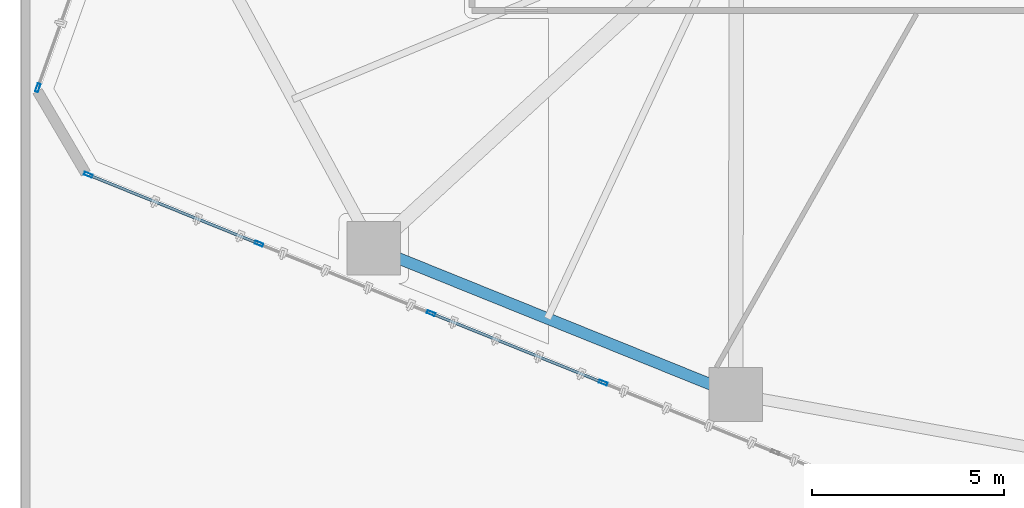
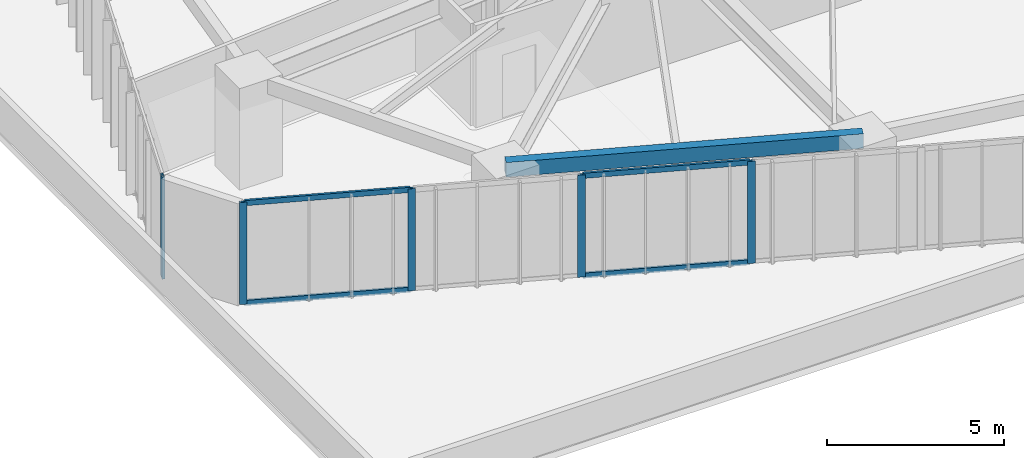
# One storey, part 2 of 23: 9 members, 1 beam, 2 elements without a shape of their own.
"""IFC4 building model written with IfcOpenShell, lengths in metres."""

from ifc_helpers import new_model, si_unit, direction, frame, origin, origin_2d, place, context, subcontext, project, spatial, hollow_rectangle, extrude, source, transform, mapped, material, layer, layer_set, material_profile, profile_set, type_object, type_shapes, element, aggregate, save


model = new_model("IFC4")

# Units and contexts
model_context = context("Model", 3, precision=1e-05, world=origin(), true_north=direction((0.0, 1.0)))
body_context = subcontext(model_context, "Body", "Model", "MODEL_VIEW")
ifc_project = project(units=[si_unit("LENGTHUNIT", "METRE"), si_unit("AREAUNIT", "SQUARE_METRE"), si_unit("VOLUMEUNIT", "CUBIC_METRE"), si_unit("PLANEANGLEUNIT", "RADIAN"), si_unit("MASSUNIT", "GRAM", prefix="KILO")], contexts=[model_context])

# Site, building, storey
site_placement = place(None, origin())
site = spatial("IfcSite", under=ifc_project, at=site_placement, CompositionType="ELEMENT")
building_placement = place(site_placement, origin())
building = spatial("IfcBuilding", under=site, at=building_placement, Name="Talar Marvaseh", CompositionType="ELEMENT")
storey_placement = place(building_placement, frame((0.0, 0.0, 24.0)))
storey = spatial("IfcBuildingStorey", under=building, at=storey_placement, Name="L05", CompositionType="ELEMENT", Elevation=24.0)

# Beam
ifc_material_1 = material(Name="Steel S355", Category="steel")
ifc_material_profile_1 = material_profile(ifc_material_1, hollow_rectangle(XDim=0.300048828125, YDim=0.5, WallThickness=0.02001953125, at=origin_2d()), Name="RHS500x300x20")
ifc_profile_set_1 = profile_set([ifc_material_profile_1], Name="Steel S355")
beam_type = type_object("IfcBeamType", Name="Zone 1 Perimeter Spandrel Beam RHS500x300x20", PredefinedType="SPANDREL", material=ifc_profile_set_1)
beam_placement = place(storey_placement, frame((18.68310546875, 12.97900390625, 3.27001953125), z_axis=(-0.927239278118, 0.374469386084, 0.0), x_axis=(-0.374469386084, -0.927239278118, 0.0)))
element("IfcBeam", 1, at=beam_placement, inside=storey, type_object=beam_type, Name="L05 Zone 1 Perimeter Spandrel Beam RHS500x300x20", PredefinedType="SPANDREL", context=body_context, shape_type="SweptSolid", body=[
    extrude(hollow_rectangle(XDim=0.300048828125, YDim=0.5, WallThickness=0.02001953125, at=origin_2d()), origin(), (0.0, 0.0, 1.0), 10.19287109375),
])

# Curtain wall, member
ifc_material_2 = material(Name="Architectural Aluminium", Category="aluminium")
ifc_layer = layer(ifc_material_2, 0.219970703125)
ifc_layer_set = layer_set([ifc_layer], Name="Architectural Aluminium")
curtain_wall_type = type_object("IfcCurtainWallType", Name="Unitised Low-E Museum Curtain Wall Z1", PredefinedType="NOTDEFINED", material=ifc_layer_set)
curtain_wall_1_placement = place(storey_placement, origin())
curtain_wall_1 = element("IfcCurtainWall", 2, at=curtain_wall_1_placement, inside=storey, type_object=curtain_wall_type, Name="L05 Unitised Low-E Museum Curtain Wall Z1", PredefinedType="NOTDEFINED")
ifc_material_profile_2 = material_profile(ifc_material_2, hollow_rectangle(XDim=0.080078125, YDim=0.219970703125, WallThickness=0.0048828125, at=origin_2d()), Name="RHS220x80x5")
ifc_profile_set_2 = profile_set([ifc_material_profile_2], Name="Architectural Aluminium")
member_type_1 = type_object("IfcMemberType", Name="Unitised Curtain Wall Heavy Mullion RHS220x80x5", PredefinedType="MULLION", material=ifc_profile_set_2)
shared_shape_1 = source(origin(), body_context, "Body", "SweptSolid", [
    extrude(hollow_rectangle(XDim=0.080078125, YDim=0.219970703125, WallThickness=0.0048828125, at=origin_2d()), origin(), (0.0, 0.0, 1.0), 3.52001953125),
])
type_shapes(member_type_1, [shared_shape_1])
member_1_placement = place(storey_placement, frame((0.467041015625, 20.98583984375, 0.0), z_axis=(0.0, 0.0, 1.0), x_axis=(-0.941741911595, 0.336336396997, 0.0)))
member_1 = element("IfcMember", 3, at=member_1_placement, type_object=member_type_1, Name="CW-Z1 mullion 1", PredefinedType="MULLION", context=body_context, shape_type="MappedRepresentation", body=[
    mapped(shared_shape_1, transform((0.0, 0.0, 0.0), x_axis=(1.0, 0.0, 0.0), y_axis=(0.0, 1.0, 0.0), z_axis=(0.0, 0.0, 1.0), scale=1.0)),
])
aggregate(curtain_wall_1, [member_1])

# Curtain wall, members
curtain_wall_2_placement = place(storey_placement, origin())
curtain_wall_2 = element("IfcCurtainWall", 4, at=curtain_wall_2_placement, inside=storey, type_object=curtain_wall_type, Name="L05 Unitised Low-E Museum Curtain Wall Z1", PredefinedType="NOTDEFINED")
member_2_placement = place(storey_placement, frame((15.223876953125, 13.287109375, 0.0), z_axis=(0.0, 0.0, 1.0), x_axis=(-0.374463049598, -0.927241837109, 0.0)))
member_2 = element("IfcMember", 5, at=member_2_placement, type_object=member_type_1, Name="CW-Z1 mullion 3", PredefinedType="MULLION", context=body_context, shape_type="MappedRepresentation", body=[
    mapped(shared_shape_1, transform((0.0, 0.0, 0.0), x_axis=(1.0, 0.0, 0.0), y_axis=(0.0, 1.0, 0.0), z_axis=(0.0, 0.0, 1.0), scale=1.0)),
])
member_3_placement = place(storey_placement, frame((10.731201171875, 15.1015625, 0.0), z_axis=(0.0, 0.0, 1.0), x_axis=(-0.374463049598, -0.927241837109, 0.0)))
member_3 = element("IfcMember", 6, at=member_3_placement, type_object=member_type_1, Name="CW-Z1 mullion 4", PredefinedType="MULLION", context=body_context, shape_type="MappedRepresentation", body=[
    mapped(shared_shape_1, transform((0.0, 0.0, 0.0), x_axis=(1.0, 0.0, 0.0), y_axis=(0.0, 1.0, 0.0), z_axis=(0.0, 0.0, 1.0), scale=1.0)),
])
member_4_placement = place(storey_placement, frame((6.23828125, 16.916015625, 0.0), z_axis=(0.0, 0.0, 1.0), x_axis=(-0.374463049598, -0.927241837109, 0.0)))
member_4 = element("IfcMember", 7, at=member_4_placement, type_object=member_type_1, Name="CW-Z1 mullion 5", PredefinedType="MULLION", context=body_context, shape_type="MappedRepresentation", body=[
    mapped(shared_shape_1, transform((0.0, 0.0, 0.0), x_axis=(1.0, 0.0, 0.0), y_axis=(0.0, 1.0, 0.0), z_axis=(0.0, 0.0, 1.0), scale=1.0)),
])
member_5_placement = place(storey_placement, frame((1.782470703125, 18.71533203125, 0.0), z_axis=(0.0, 0.0, 1.0), x_axis=(-0.374463049598, -0.927241837109, 0.0)))
member_5 = element("IfcMember", 8, at=member_5_placement, type_object=member_type_1, Name="CW-Z1 mullion 6", PredefinedType="MULLION", context=body_context, shape_type="MappedRepresentation", body=[
    mapped(shared_shape_1, transform((0.0, 0.0, 0.0), x_axis=(1.0, 0.0, 0.0), y_axis=(0.0, 1.0, 0.0), z_axis=(0.0, 0.0, 1.0), scale=1.0)),
])
ifc_material_profile_3 = material_profile(ifc_material_2, hollow_rectangle(XDim=0.074951171875, YDim=0.179931640625, WallThickness=0.0048828125, at=origin_2d()), Name="RHS180x75x5")
ifc_profile_set_3 = profile_set([ifc_material_profile_3], Name="Architectural Aluminium")
member_type_2 = type_object("IfcMemberType", Name="Unitised Curtain Wall Transom RHS180x75x5", PredefinedType="USERDEFINED", material=ifc_profile_set_3)
shared_shape_2 = source(origin(), body_context, "Body", "SweptSolid", [
    extrude(hollow_rectangle(XDim=0.074951171875, YDim=0.179931640625, WallThickness=0.0048828125, at=origin_2d()), origin(), (0.0, 0.0, 1.0), 4.725341796875),
])
member_6_placement = place(storey_placement, frame((6.201171875, 16.930908203125, 0.03759765625), z_axis=(-0.927238732224, 0.374470737793, 0.0), x_axis=(-0.374470737793, -0.927238732224, 0.0)))
member_6 = element("IfcMember", 9, at=member_6_placement, type_object=member_type_2, Name="CW-Z1 transom 5.1", ObjectType="TRANSOM", PredefinedType="USERDEFINED", context=body_context, shape_type="MappedRepresentation", body=[
    mapped(shared_shape_2, transform((0.0, 0.0, 0.0), x_axis=(1.0, 0.0, 0.0), y_axis=(0.0, 1.0, 0.0), z_axis=(0.0, 0.0, 1.0), scale=1.0)),
])
member_7_placement = place(storey_placement, frame((6.201171875, 16.930908203125, 3.482421875), z_axis=(-0.927238732224, 0.374470737793, 0.0), x_axis=(-0.374470737793, -0.927238732224, 0.0)))
member_7 = element("IfcMember", 10, at=member_7_placement, type_object=member_type_2, Name="CW-Z1 transom 5.2", ObjectType="TRANSOM", PredefinedType="USERDEFINED", context=body_context, shape_type="MappedRepresentation", body=[
    mapped(shared_shape_2, transform((0.0, 0.0, 0.0), x_axis=(1.0, 0.0, 0.0), y_axis=(0.0, 1.0, 0.0), z_axis=(0.0, 0.0, 1.0), scale=1.0)),
])
shared_shape_3 = source(origin(), body_context, "Body", "SweptSolid", [
    extrude(hollow_rectangle(XDim=0.074951171875, YDim=0.179931640625, WallThickness=0.0048828125, at=origin_2d()), origin(), (0.0, 0.0, 1.0), 4.76513671875),
])
type_shapes(member_type_2, [shared_shape_2, shared_shape_3])
member_8_placement = place(storey_placement, frame((15.186767578125, 13.30224609375, 0.03759765625), z_axis=(-0.927238416019, 0.374471520758, 0.0), x_axis=(-0.374471520758, -0.927238416019, 0.0)))
member_8 = element("IfcMember", 11, at=member_8_placement, type_object=member_type_2, Name="CW-Z1 transom 3.1", ObjectType="TRANSOM", PredefinedType="USERDEFINED", context=body_context, shape_type="MappedRepresentation", body=[
    mapped(shared_shape_3, transform((0.0, 0.0, 0.0), x_axis=(1.0, 0.0, 0.0), y_axis=(0.0, 1.0, 0.0), z_axis=(0.0, 0.0, 1.0), scale=1.0)),
])
member_9_placement = place(storey_placement, frame((15.186767578125, 13.30224609375, 3.482421875), z_axis=(-0.927238416019, 0.374471520758, 0.0), x_axis=(-0.374471520758, -0.927238416019, 0.0)))
member_9 = element("IfcMember", 12, at=member_9_placement, type_object=member_type_2, Name="CW-Z1 transom 3.2", ObjectType="TRANSOM", PredefinedType="USERDEFINED", context=body_context, shape_type="MappedRepresentation", body=[
    mapped(shared_shape_3, transform((0.0, 0.0, 0.0), x_axis=(1.0, 0.0, 0.0), y_axis=(0.0, 1.0, 0.0), z_axis=(0.0, 0.0, 1.0), scale=1.0)),
])
aggregate(curtain_wall_2, [member_2, member_3, member_4, member_5, member_8, member_9, member_6, member_7])

save(model, "model.ifc")
